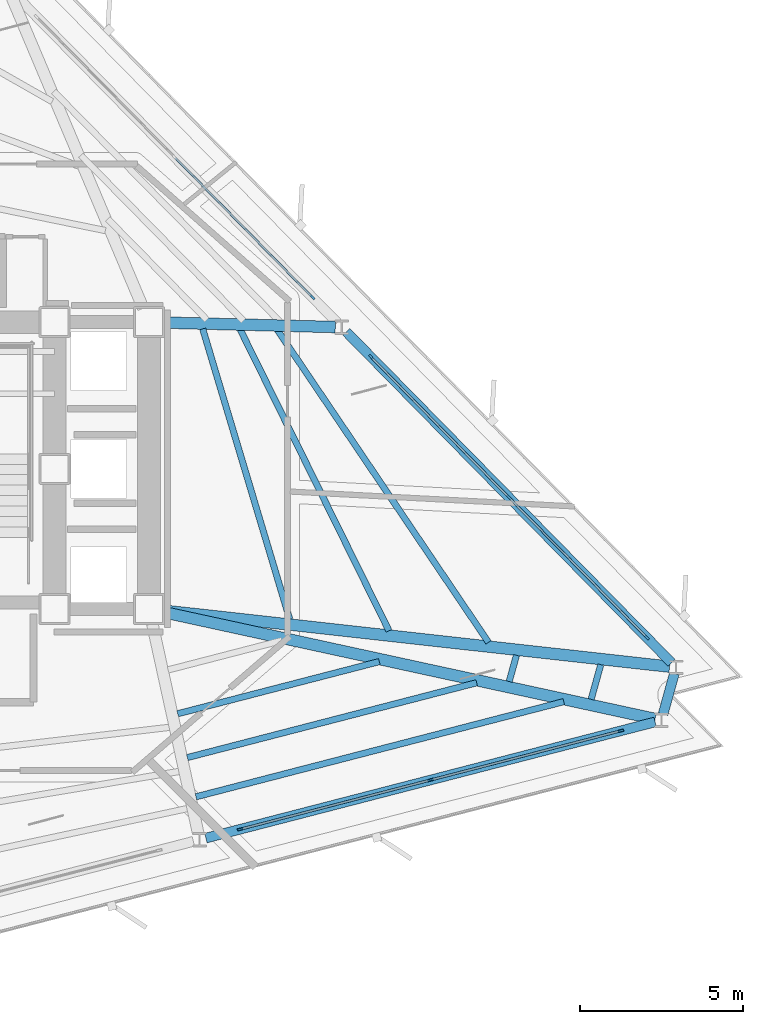
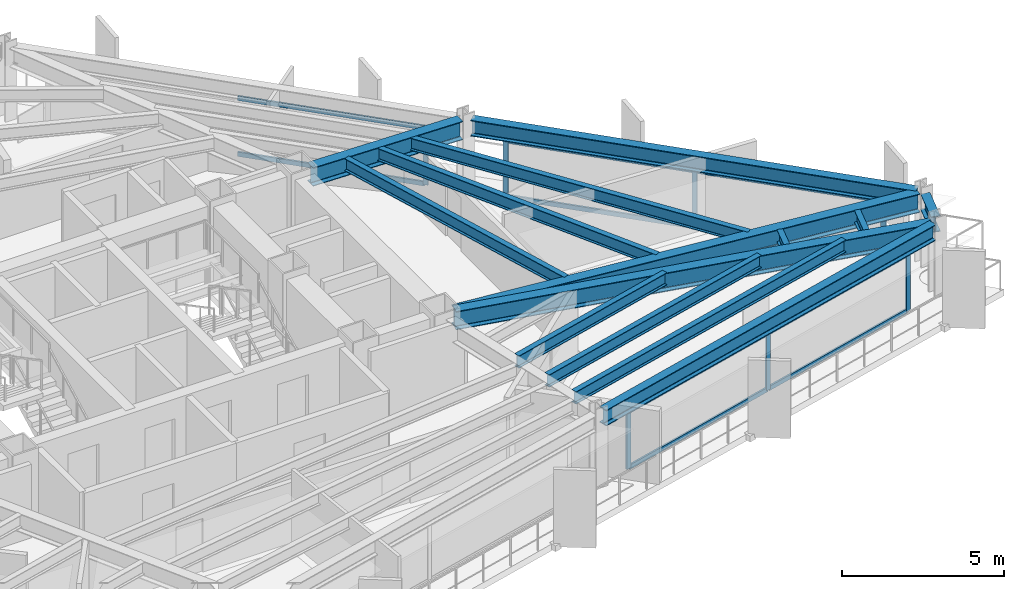
# One storey, part 4 of 11: 17 members, 14 beams, 3 elements without a shape of their own.
"""IFC4 building model written with IfcOpenShell, lengths in metres."""

from ifc_helpers import new_model, si_unit, direction, frame, origin, origin_2d, place, context, subcontext, project, spatial, rectangle, i_section, extrude, material, layer, layer_set, material_profile, profile_set, type_object, element, aggregate, save


model = new_model("IFC4")

# Units and contexts
model_context = context("Model", 3, precision=1e-05, world=origin(), true_north=direction((0.0, 1.0)))
body_context = subcontext(model_context, "Body", "Model", "MODEL_VIEW")
ifc_project = project(units=[si_unit("LENGTHUNIT", "METRE"), si_unit("AREAUNIT", "SQUARE_METRE"), si_unit("VOLUMEUNIT", "CUBIC_METRE"), si_unit("PLANEANGLEUNIT", "RADIAN"), si_unit("MASSUNIT", "GRAM", prefix="KILO")], contexts=[model_context])

# Site, building, storey
site_placement = place(None, origin())
site = spatial("IfcSite", under=ifc_project, at=site_placement, CompositionType="ELEMENT")
building_placement = place(site_placement, origin())
building = spatial("IfcBuilding", under=site, at=building_placement, Name="Rocaltana Carrier Exchange", CompositionType="ELEMENT")
storey_placement = place(building_placement, frame((0.0, 0.0, 94.719970703125)))
storey = spatial("IfcBuildingStorey", under=building, at=storey_placement, Name="L29", CompositionType="ELEMENT", Elevation=94.719970703125)

# Curtain wall, members
ifc_material_1 = material(Name="Aluminium 6063-T6", Category="aluminium")
ifc_layer = layer(ifc_material_1, 0.1650390625)
ifc_layer_set = layer_set([ifc_layer], Name="Aluminium 6063-T6")
curtain_wall_type = type_object("IfcCurtainWallType", Name="Lower-Mid Stepped Curtain Wall CW-02", PredefinedType="NOTDEFINED", material=ifc_layer_set)
curtain_wall_1_placement = place(storey_placement, origin())
curtain_wall_1 = element("IfcCurtainWall", 1, at=curtain_wall_1_placement, inside=storey, type_object=curtain_wall_type, Name="L29 CW-02 Run CW-L29-F1S1", PredefinedType="NOTDEFINED")
ifc_material_2 = material(Name="Aluminium 6063-T6", Category="aluminium")
ifc_material_profile_1 = material_profile(ifc_material_2, rectangle(XDim=0.06494140625, YDim=0.1650390625, at=origin_2d()), Name="AL-65X165")
ifc_profile_set_1 = profile_set([ifc_material_profile_1], Name="Aluminium 6063-T6")
member_type_1 = type_object("IfcMemberType", Name="CW-02 Mullion AL-65X165", PredefinedType="MULLION", material=ifc_profile_set_1)
member_1_placement = place(storey_placement, frame((24.21875, -5.1767578125, 0.0), z_axis=(0.0, 0.0, 1.0), x_axis=(-0.713244767898, -0.700915045542, 0.0)))
member_1 = element("IfcMember", 2, at=member_1_placement, type_object=member_type_1, Name="CW-02 mullion 1", PredefinedType="MULLION", context=body_context, shape_type="SweptSolid", body=[
    extrude(rectangle(XDim=0.06494140625, YDim=0.1650390625, at=origin_2d()), origin(), (0.0, 0.0, 1.0), 2.16796875),
])
member_2_placement = place(storey_placement, frame((19.989501953125, -0.872802734375, 0.0), z_axis=(0.0, 0.0, 1.0), x_axis=(-0.713244767898, -0.700915045542, 0.0)))
member_2 = element("IfcMember", 3, at=member_2_placement, type_object=member_type_1, Name="CW-02 mullion 2", PredefinedType="MULLION", context=body_context, shape_type="SweptSolid", body=[
    extrude(rectangle(XDim=0.06494140625, YDim=0.1650390625, at=origin_2d()), origin(), (0.0, 0.0, 1.0), 2.16796875),
])
member_3_placement = place(storey_placement, frame((15.760009765625, 3.430908203125, 0.0), z_axis=(0.0, 0.0, 1.0), x_axis=(-0.713244767898, -0.700915045542, 0.0)))
member_3 = element("IfcMember", 4, at=member_3_placement, type_object=member_type_1, Name="CW-02 mullion 3", PredefinedType="MULLION", context=body_context, shape_type="SweptSolid", body=[
    extrude(rectangle(XDim=0.06494140625, YDim=0.1650390625, at=origin_2d()), origin(), (0.0, 0.0, 1.0), 2.16796875),
])

# Curtain wall, member
curtain_wall_2_placement = place(storey_placement, origin())
curtain_wall_2 = element("IfcCurtainWall", 5, at=curtain_wall_2_placement, inside=storey, type_object=curtain_wall_type, Name="L29 CW-02 Run CW-L29-F1S2", PredefinedType="NOTDEFINED")
member_4_placement = place(storey_placement, frame((13.962158203125, 5.260498046875, 0.0), z_axis=(0.0, 0.0, 1.0), x_axis=(-0.713244696676, -0.700915118017, 0.0)))
member_4 = element("IfcMember", 6, at=member_4_placement, type_object=member_type_1, Name="CW-02 mullion 1", PredefinedType="MULLION", context=body_context, shape_type="SweptSolid", body=[
    extrude(rectangle(XDim=0.06494140625, YDim=0.1650390625, at=origin_2d()), origin(), (0.0, 0.0, 1.0), 2.16796875),
])

# Curtain wall, members
curtain_wall_3_placement = place(storey_placement, origin())
curtain_wall_3 = element("IfcCurtainWall", 7, at=curtain_wall_3_placement, inside=storey, type_object=curtain_wall_type, Name="L29 CW-02 Run CW-L29-F3S3", PredefinedType="NOTDEFINED")
member_5_placement = place(storey_placement, frame((11.741943359375, -11.057861328125, 0.0), z_axis=(0.0, 0.0, 1.0), x_axis=(-0.250370035526, 0.96815021836, 0.0)))
member_5 = element("IfcMember", 8, at=member_5_placement, type_object=member_type_1, Name="CW-02 mullion 1", PredefinedType="MULLION", context=body_context, shape_type="SweptSolid", body=[
    extrude(rectangle(XDim=0.06494140625, YDim=0.1650390625, at=origin_2d()), origin(), (0.0, 0.0, 1.0), 2.16796875),
])
member_6_placement = place(storey_placement, frame((17.583740234375, -9.547119140625, 0.0), z_axis=(0.0, 0.0, 1.0), x_axis=(-0.250370035526, 0.96815021836, 0.0)))
member_6 = element("IfcMember", 9, at=member_6_placement, type_object=member_type_1, Name="CW-02 mullion 2", PredefinedType="MULLION", context=body_context, shape_type="SweptSolid", body=[
    extrude(rectangle(XDim=0.06494140625, YDim=0.1650390625, at=origin_2d()), origin(), (0.0, 0.0, 1.0), 2.16796875),
])
member_7_placement = place(storey_placement, frame((23.42578125, -8.036376953125, 0.0), z_axis=(0.0, 0.0, 1.0), x_axis=(-0.250370035526, 0.96815021836, 0.0)))
member_7 = element("IfcMember", 10, at=member_7_placement, type_object=member_type_1, Name="CW-02 mullion 3", PredefinedType="MULLION", context=body_context, shape_type="SweptSolid", body=[
    extrude(rectangle(XDim=0.06494140625, YDim=0.1650390625, at=origin_2d()), origin(), (0.0, 0.0, 1.0), 2.16796875),
])

# Member
ifc_material_3 = material(Name="Aluminium 6063-T6", Category="aluminium")
ifc_material_profile_2 = material_profile(ifc_material_3, rectangle(XDim=0.06494140625, YDim=0.1650390625, at=origin_2d()), Name="AL-65X165")
ifc_profile_set_2 = profile_set([ifc_material_profile_2], Name="Aluminium 6063-T6")
member_type_2 = type_object("IfcMemberType", Name="CW-02 Transom AL-65X165", PredefinedType="USERDEFINED", material=ifc_profile_set_2)
member_8_placement = place(storey_placement, frame((24.196044921875, -5.153564453125, 0.032470703125), z_axis=(-0.700903905011, 0.713255715673, 0.0), x_axis=(-0.713255715673, -0.700903905011, 0.0)))
member_8 = element("IfcMember", 11, at=member_8_placement, type_object=member_type_2, Name="CW-02 transom 1.1", ObjectType="TRANSOM", PredefinedType="USERDEFINED", context=body_context, shape_type="SweptSolid", body=[
    extrude(rectangle(XDim=0.06494140625, YDim=0.1650390625, at=origin_2d()), origin(), (0.0, 0.0, 1.0), 5.96923828125),
])

member_9_placement = place(storey_placement, frame((24.196044921875, -5.153564453125, 2.135498046875), z_axis=(-0.700903905011, 0.713255715673, 0.0), x_axis=(-0.713255715673, -0.700903905011, 0.0)))
member_9 = element("IfcMember", 12, at=member_9_placement, type_object=member_type_2, Name="CW-02 transom 1.2", ObjectType="TRANSOM", PredefinedType="USERDEFINED", context=body_context, shape_type="SweptSolid", body=[
    extrude(rectangle(XDim=0.06494140625, YDim=0.1650390625, at=origin_2d()), origin(), (0.0, 0.0, 1.0), 5.96923828125),
])

member_10_placement = place(storey_placement, frame((19.966552734375, -0.849609375, 0.032470703125), z_axis=(-0.700924352217, 0.713235621985, 0.0), x_axis=(-0.713235621985, -0.700924352217, 0.0)))
member_10 = element("IfcMember", 13, at=member_10_placement, type_object=member_type_2, Name="CW-02 transom 2.1", ObjectType="TRANSOM", PredefinedType="USERDEFINED", context=body_context, shape_type="SweptSolid", body=[
    extrude(rectangle(XDim=0.06494140625, YDim=0.1650390625, at=origin_2d()), origin(), (0.0, 0.0, 1.0), 5.968994140625),
])

member_11_placement = place(storey_placement, frame((19.966552734375, -0.849609375, 2.135498046875), z_axis=(-0.700924352217, 0.713235621985, 0.0), x_axis=(-0.713235621985, -0.700924352217, 0.0)))
member_11 = element("IfcMember", 14, at=member_11_placement, type_object=member_type_2, Name="CW-02 transom 2.2", ObjectType="TRANSOM", PredefinedType="USERDEFINED", context=body_context, shape_type="SweptSolid", body=[
    extrude(rectangle(XDim=0.06494140625, YDim=0.1650390625, at=origin_2d()), origin(), (0.0, 0.0, 1.0), 5.968994140625),
])

aggregate(curtain_wall_1, [member_1, member_2, member_3, member_8, member_9, member_10, member_11])

member_12_placement = place(storey_placement, frame((13.939453125, 5.28369140625, 0.032470703125), z_axis=(-0.700903905011, 0.713255715673, 0.0), x_axis=(-0.713255715673, -0.700903905011, 0.0)))
member_12 = element("IfcMember", 15, at=member_12_placement, type_object=member_type_2, Name="CW-02 transom 1.1", ObjectType="TRANSOM", PredefinedType="USERDEFINED", context=body_context, shape_type="SweptSolid", body=[
    extrude(rectangle(XDim=0.06494140625, YDim=0.1650390625, at=origin_2d()), origin(), (0.0, 0.0, 1.0), 5.96923828125),
])

member_13_placement = place(storey_placement, frame((13.939453125, 5.28369140625, 2.135498046875), z_axis=(-0.700903905011, 0.713255715673, 0.0), x_axis=(-0.713255715673, -0.700903905011, 0.0)))
member_13 = element("IfcMember", 16, at=member_13_placement, type_object=member_type_2, Name="CW-02 transom 1.2", ObjectType="TRANSOM", PredefinedType="USERDEFINED", context=body_context, shape_type="SweptSolid", body=[
    extrude(rectangle(XDim=0.06494140625, YDim=0.1650390625, at=origin_2d()), origin(), (0.0, 0.0, 1.0), 5.96923828125),
])

aggregate(curtain_wall_2, [member_4, member_12, member_13])

member_14_placement = place(storey_placement, frame((11.7734375, -11.0498046875, 0.032470703125), z_axis=(0.968142466864, 0.250400007695, 0.0), x_axis=(-0.250400007695, 0.968142466864, 0.0)))
member_14 = element("IfcMember", 17, at=member_14_placement, type_object=member_type_2, Name="CW-02 transom 1.1", ObjectType="TRANSOM", PredefinedType="USERDEFINED", context=body_context, shape_type="SweptSolid", body=[
    extrude(rectangle(XDim=0.06494140625, YDim=0.1650390625, at=origin_2d()), origin(), (0.0, 0.0, 1.0), 5.968994140625),
])

member_15_placement = place(storey_placement, frame((11.7734375, -11.0498046875, 2.135498046875), z_axis=(0.968142466864, 0.250400007695, 0.0), x_axis=(-0.250400007695, 0.968142466864, 0.0)))
member_15 = element("IfcMember", 18, at=member_15_placement, type_object=member_type_2, Name="CW-02 transom 1.2", ObjectType="TRANSOM", PredefinedType="USERDEFINED", context=body_context, shape_type="SweptSolid", body=[
    extrude(rectangle(XDim=0.06494140625, YDim=0.1650390625, at=origin_2d()), origin(), (0.0, 0.0, 1.0), 5.968994140625),
])

member_16_placement = place(storey_placement, frame((17.615234375, -9.5390625, 0.032470703125), z_axis=(0.968145031253, 0.250390092575, 0.0), x_axis=(-0.250390092575, 0.968145031253, 0.0)))
member_16 = element("IfcMember", 19, at=member_16_placement, type_object=member_type_2, Name="CW-02 transom 2.1", ObjectType="TRANSOM", PredefinedType="USERDEFINED", context=body_context, shape_type="SweptSolid", body=[
    extrude(rectangle(XDim=0.06494140625, YDim=0.1650390625, at=origin_2d()), origin(), (0.0, 0.0, 1.0), 5.96923828125),
])

member_17_placement = place(storey_placement, frame((17.615234375, -9.5390625, 2.135498046875), z_axis=(0.968145031253, 0.250390092575, 0.0), x_axis=(-0.250390092575, 0.968145031253, 0.0)))
member_17 = element("IfcMember", 20, at=member_17_placement, type_object=member_type_2, Name="CW-02 transom 2.2", ObjectType="TRANSOM", PredefinedType="USERDEFINED", context=body_context, shape_type="SweptSolid", body=[
    extrude(rectangle(XDim=0.06494140625, YDim=0.1650390625, at=origin_2d()), origin(), (0.0, 0.0, 1.0), 5.96923828125),
])

aggregate(curtain_wall_3, [member_5, member_6, member_7, member_14, member_15, member_16, member_17])

# Beams
ifc_material_4 = material(Name="Steel S355", Category="steel")
ifc_material_profile_3 = material_profile(ifc_material_4, i_section(OverallWidth=0.193115234375, OverallDepth=0.466064453125, WebThickness=0.011474609375, FlangeThickness=0.01904296875, FilletRadius=0.013916015625, at=origin_2d()), Name="W18X65")
ifc_profile_set_3 = profile_set([ifc_material_profile_3], Name="Steel S355")
beam_type_1 = type_object("IfcBeamType", Name="Floor Joist W18X65", PredefinedType="JOIST", material=ifc_profile_set_3)
beam_1_placement = place(storey_placement, frame((13.26611328125, -4.619384765625, 2.554931640625), z_axis=(-0.287034949518, 0.95792011032, 0.0), x_axis=(-0.95792011032, -0.287034949518, 0.0)))
element("IfcBeam", 21, at=beam_1_placement, inside=storey, type_object=beam_type_1, Name="FJ-L29-01-1", PredefinedType="JOIST", context=body_context, shape_type="SweptSolid", body=[
    extrude(i_section(OverallWidth=0.193115234375, OverallDepth=0.466064453125, WebThickness=0.011474609375, FlangeThickness=0.01904296875, FilletRadius=0.013916015625, at=origin_2d()), origin(), (0.0, 0.0, 1.0), 9.30517578125),
])
beam_2_placement = place(storey_placement, frame((16.311279296875, -4.97021484375, 2.554931640625), z_axis=(-0.442813915887, 0.89661353765, 0.0), x_axis=(-0.89661353765, -0.442813915887, 0.0)))
element("IfcBeam", 22, at=beam_2_placement, inside=storey, type_object=beam_type_1, Name="FJ-L29-01-2", PredefinedType="JOIST", context=body_context, shape_type="SweptSolid", body=[
    extrude(i_section(OverallWidth=0.193115234375, OverallDepth=0.466064453125, WebThickness=0.011474609375, FlangeThickness=0.01904296875, FilletRadius=0.013916015625, at=origin_2d()), origin(), (0.0, 0.0, 1.0), 10.311767578125),
])
beam_3_placement = place(storey_placement, frame((19.363037109375, -5.322509765625, 2.554931640625), z_axis=(-0.55996593104, 0.828515634177, 0.0), x_axis=(-0.828515634177, -0.55996593104, 0.0)))
element("IfcBeam", 23, at=beam_3_placement, inside=storey, type_object=beam_type_1, Name="FJ-L29-01-3", PredefinedType="JOIST", context=body_context, shape_type="SweptSolid", body=[
    extrude(i_section(OverallWidth=0.193115234375, OverallDepth=0.466064453125, WebThickness=0.011474609375, FlangeThickness=0.01904296875, FilletRadius=0.013916015625, at=origin_2d()), origin(), (0.0, 0.0, 1.0), 11.56298828125),
])
beam_4_placement = place(storey_placement, frame((9.8291015625, -7.513427734375, 2.554931640625), z_axis=(0.968143557315, 0.250395791558, 0.0), x_axis=(-0.250395791558, 0.968143557315, 0.0)))
element("IfcBeam", 24, at=beam_4_placement, inside=storey, type_object=beam_type_1, Name="FJ-L29-11-2", PredefinedType="JOIST", context=body_context, shape_type="SweptSolid", body=[
    extrude(i_section(OverallWidth=0.193115234375, OverallDepth=0.466064453125, WebThickness=0.011474609375, FlangeThickness=0.01904296875, FilletRadius=0.013916015625, at=origin_2d()), origin(), (0.0, 0.0, 1.0), 6.388427734375),
])
beam_5_placement = place(storey_placement, frame((10.123779296875, -8.8583984375, 2.554931640625), z_axis=(0.968146466447, 0.250384543264, 0.0), x_axis=(-0.250384543264, 0.968146466447, 0.0)))
element("IfcBeam", 25, at=beam_5_placement, inside=storey, type_object=beam_type_1, Name="FJ-L29-11-3", PredefinedType="JOIST", context=body_context, shape_type="SweptSolid", body=[
    extrude(i_section(OverallWidth=0.193115234375, OverallDepth=0.466064453125, WebThickness=0.011474609375, FlangeThickness=0.01904296875, FilletRadius=0.013916015625, at=origin_2d()), origin(), (0.0, 0.0, 1.0), 9.16845703125),
])
beam_6_placement = place(storey_placement, frame((10.38720703125, -10.061767578125, 2.554931640625), z_axis=(0.968148049608, 0.250378421674, 0.0), x_axis=(-0.250378421674, 0.968148049608, 0.0)))
element("IfcBeam", 26, at=beam_6_placement, inside=storey, type_object=beam_type_1, Name="FJ-L29-11-4", PredefinedType="JOIST", context=body_context, shape_type="SweptSolid", body=[
    extrude(i_section(OverallWidth=0.193115234375, OverallDepth=0.466064453125, WebThickness=0.011474609375, FlangeThickness=0.01904296875, FilletRadius=0.013916015625, at=origin_2d()), origin(), (0.0, 0.0, 1.0), 11.65625),
])
beam_7_placement = place(storey_placement, frame((19.998046875, -6.525390625, 2.554931640625), z_axis=(0.267312721501, 0.96360983231, 0.0), x_axis=(-0.96360983231, 0.267312721501, 0.0)))
element("IfcBeam", 27, at=beam_7_placement, inside=storey, type_object=beam_type_1, Name="FJ-L29-12-3", PredefinedType="JOIST", context=body_context, shape_type="SweptSolid", body=[
    extrude(i_section(OverallWidth=0.193115234375, OverallDepth=0.466064453125, WebThickness=0.011474609375, FlangeThickness=0.01904296875, FilletRadius=0.013916015625, at=origin_2d()), origin(), (0.0, 0.0, 1.0), 0.836669921875),
])
beam_8_placement = place(storey_placement, frame((22.5126953125, -7.07177734375, 2.554931640625), z_axis=(0.267336435307, 0.963603253605, 0.0), x_axis=(-0.963603253605, 0.267336435307, 0.0)))
element("IfcBeam", 28, at=beam_8_placement, inside=storey, type_object=beam_type_1, Name="FJ-L29-12-4", PredefinedType="JOIST", context=body_context, shape_type="SweptSolid", body=[
    extrude(i_section(OverallWidth=0.193115234375, OverallDepth=0.466064453125, WebThickness=0.011474609375, FlangeThickness=0.01904296875, FilletRadius=0.013916015625, at=origin_2d()), origin(), (0.0, 0.0, 1.0), 1.10595703125),
])
ifc_material_5 = material(Name="Steel S355", Category="steel")
ifc_material_profile_4 = material_profile(ifc_material_5, i_section(OverallWidth=0.35498046875, OverallDepth=0.695068359375, WebThickness=0.015380859375, FlangeThickness=0.02490234375, FilletRadius=0.01806640625, at=origin_2d()), Name="W27X146")
ifc_profile_set_4 = profile_set([ifc_material_profile_4], Name="Steel S355")
beam_type_2 = type_object("IfcBeamType", Name="Radial Girder W27X146", PredefinedType="BEAM", material=ifc_profile_set_4)
beam_9_placement = place(storey_placement, frame((9.414306640625, -4.351318359375, 2.4404296875), z_axis=(0.993916704851, -0.110134389809, 0.0), x_axis=(0.110134389809, 0.993916704851, 0.0)))
element("IfcBeam", 29, at=beam_9_placement, inside=storey, type_object=beam_type_2, Name="RG-L29-01", PredefinedType="BEAM", context=body_context, shape_type="SweptSolid", body=[
    extrude(i_section(OverallWidth=0.35498046875, OverallDepth=0.695068359375, WebThickness=0.015380859375, FlangeThickness=0.02490234375, FilletRadius=0.01806640625, at=origin_2d()), origin(), (0.0, 0.0, 1.0), 15.6015625),
])
beam_10_placement = place(storey_placement, frame((9.416748046875, 4.48779296875, 2.4404296875), z_axis=(0.99965940255, -0.026097488242, 0.0), x_axis=(0.026097488242, 0.99965940255, 0.0)))
element("IfcBeam", 30, at=beam_10_placement, inside=storey, type_object=beam_type_2, Name="RG-L29-02", PredefinedType="BEAM", context=body_context, shape_type="SweptSolid", body=[
    extrude(i_section(OverallWidth=0.35498046875, OverallDepth=0.695068359375, WebThickness=0.015380859375, FlangeThickness=0.02490234375, FilletRadius=0.01806640625, at=origin_2d()), origin(), (0.0, 0.0, 1.0), 5.248046875),
])
beam_11_placement = place(storey_placement, frame((9.406494140625, -4.399169921875, 2.4404296875), z_axis=(0.977197794576, -0.212331039362, 0.0), x_axis=(0.212331039362, 0.977197794576, 0.0)))
element("IfcBeam", 31, at=beam_11_placement, inside=storey, type_object=beam_type_2, Name="RG-L29-12", PredefinedType="BEAM", context=body_context, shape_type="SweptSolid", body=[
    extrude(i_section(OverallWidth=0.35498046875, OverallDepth=0.695068359375, WebThickness=0.015380859375, FlangeThickness=0.02490234375, FilletRadius=0.01806640625, at=origin_2d()), origin(), (0.0, 0.0, 1.0), 15.4189453125),
])
ifc_material_6 = material(Name="Steel S355", Category="steel")
ifc_material_profile_5 = material_profile(ifc_material_6, i_section(OverallWidth=0.300048828125, OverallDepth=0.60009765625, WebThickness=0.015380859375, FlangeThickness=0.030029296875, FilletRadius=0.027099609375, at=origin_2d()), Name="HEB600")
ifc_profile_set_5 = profile_set([ifc_material_profile_5], Name="Steel S355")
beam_type_3 = type_object("IfcBeamType", Name="Spandrel Edge Beam HEB600", PredefinedType="SPANDREL", material=ifc_profile_set_5)
beam_12_placement = place(storey_placement, frame((24.97900390625, -5.9501953125, 2.488037109375), z_axis=(-0.700906560302, 0.713253106356, 0.0), x_axis=(-0.713253106356, -0.700906560302, 0.0)))
element("IfcBeam", 32, at=beam_12_placement, inside=storey, type_object=beam_type_3, Name="SP-L29-01", PredefinedType="SPANDREL", context=body_context, shape_type="SweptSolid", body=[
    extrude(i_section(OverallWidth=0.300048828125, OverallDepth=0.60009765625, WebThickness=0.015380859375, FlangeThickness=0.030029296875, FilletRadius=0.027099609375, at=origin_2d()), origin(), (0.0, 0.0, 1.0), 14.2373046875),
])
beam_13_placement = place(storey_placement, frame((10.69189453125, -11.329345703125, 2.488037109375), z_axis=(0.968151928299, 0.250363423309, 0.0), x_axis=(-0.250363423309, 0.968151928299, 0.0)))
element("IfcBeam", 33, at=beam_13_placement, inside=storey, type_object=beam_type_3, Name="SP-L29-11", PredefinedType="SPANDREL", context=body_context, shape_type="SweptSolid", body=[
    extrude(i_section(OverallWidth=0.300048828125, OverallDepth=0.60009765625, WebThickness=0.015380859375, FlangeThickness=0.030029296875, FilletRadius=0.027099609375, at=origin_2d()), origin(), (0.0, 0.0, 1.0), 14.237060546875),
])
beam_14_placement = place(storey_placement, frame((24.72021484375, -7.5244140625, 2.488037109375), z_axis=(0.267233578385, 0.963631783714, 0.0), x_axis=(-0.963631783714, 0.267233578385, 0.0)))
element("IfcBeam", 34, at=beam_14_placement, inside=storey, type_object=beam_type_3, Name="SP-L29-12", PredefinedType="SPANDREL", context=body_context, shape_type="SweptSolid", body=[
    extrude(i_section(OverallWidth=0.300048828125, OverallDepth=0.60009765625, WebThickness=0.015380859375, FlangeThickness=0.030029296875, FilletRadius=0.027099609375, at=origin_2d()), origin(), (0.0, 0.0, 1.0), 1.2890625),
])

save(model, "model.ifc")
